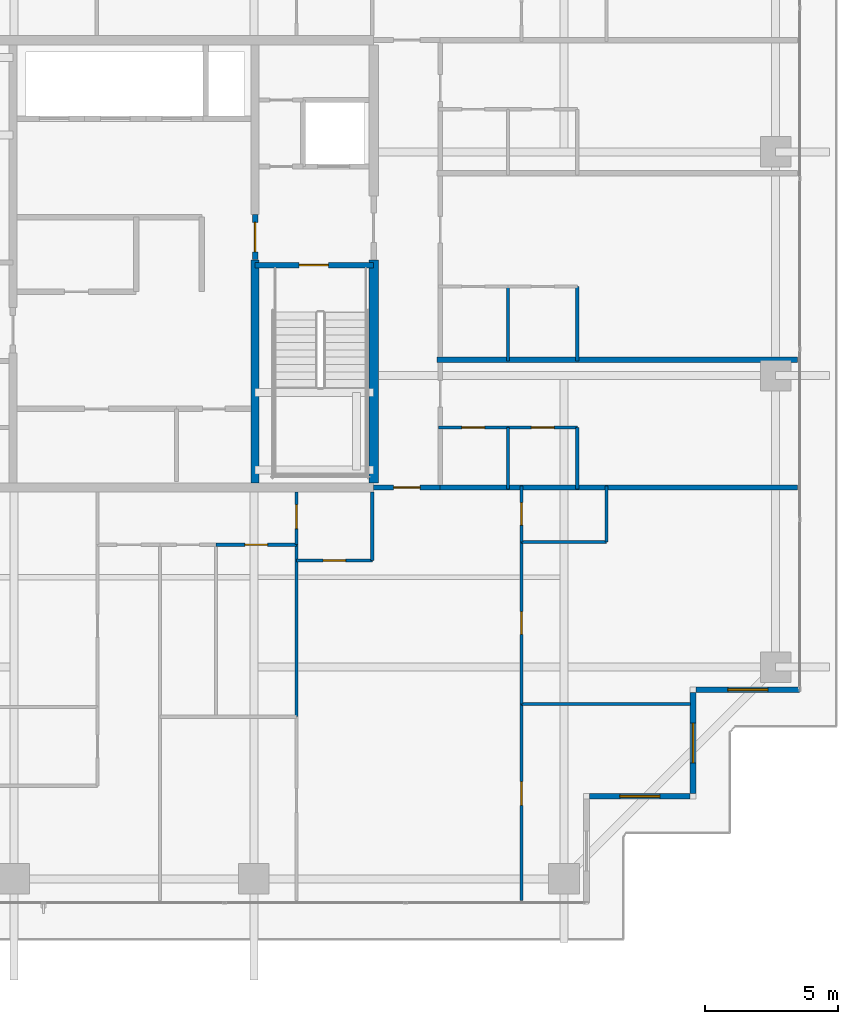
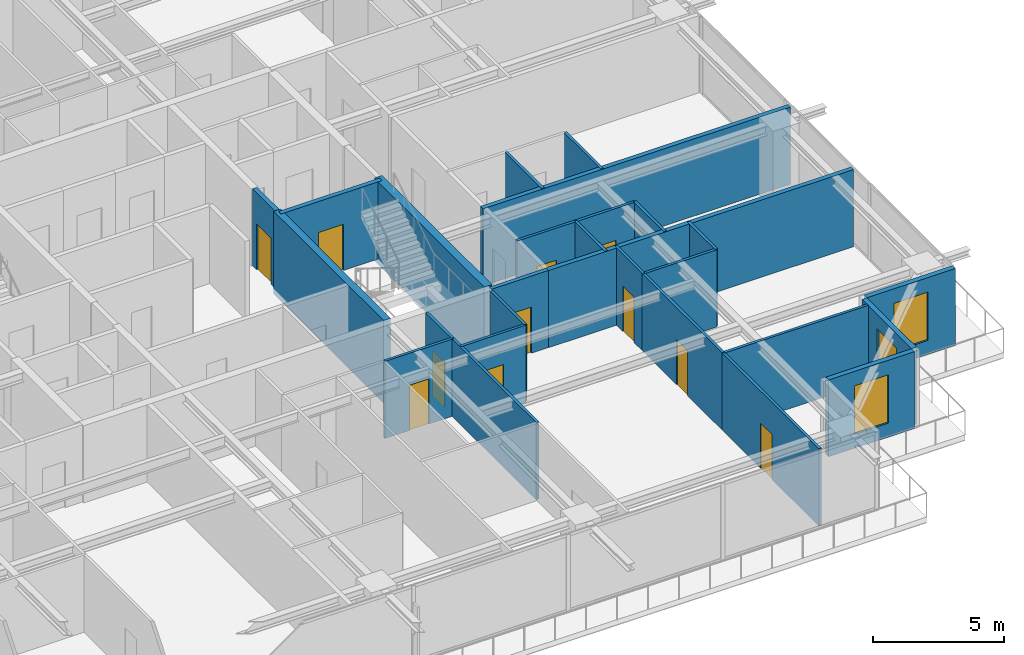
# One storey, part 29 of 40: 27 walls, 11 doors, 3 windows, 14 openings.
"""IFC4 building model written with IfcOpenShell, lengths in metres."""

from ifc_helpers import new_model, si_unit, direction, frame, frame_2d, origin, place, context, subcontext, project, spatial, rectangle, extrude, source, transform, mapped, material, layer, layer_set, type_object, element, fill, save


model = new_model("IFC4")

# Units and contexts
model_context = context("Model", 3, precision=1e-05, world=origin(), true_north=direction((0.0, 1.0)))
body_context = subcontext(model_context, "Body", "Model", "MODEL_VIEW")
ifc_project = project(units=[si_unit("LENGTHUNIT", "METRE"), si_unit("AREAUNIT", "SQUARE_METRE"), si_unit("VOLUMEUNIT", "CUBIC_METRE"), si_unit("PLANEANGLEUNIT", "RADIAN"), si_unit("MASSUNIT", "GRAM", prefix="KILO")], contexts=[model_context])

# Site, building, storey
site_placement = place(None, origin())
site = spatial("IfcSite", under=ifc_project, at=site_placement, CompositionType="ELEMENT")
building_placement = place(site_placement, origin())
building = spatial("IfcBuilding", under=site, at=building_placement, Name="Serunith Strait Residences", CompositionType="ELEMENT")
storey_placement = place(building_placement, frame((0.0, 0.0, 252.800048828125)))
storey = spatial("IfcBuildingStorey", under=building, at=storey_placement, Name="L63", CompositionType="ELEMENT", Elevation=252.800048828125)

# Wall, opening, window
ifc_material_1 = material(Name="Pale-Champagne Aluminium Insulated Panel", Category="aluminium")
ifc_layer_1 = layer(ifc_material_1, 0.219970703125, Name="Pale-Champagne Aluminium Insulated Panel")
ifc_layer_set_1 = layer_set([ifc_layer_1], Name="Pale-Champagne Aluminium Insulated Panel")
wall_type_1 = type_object("IfcWallType", Name="EW-ALUM-220", PredefinedType="ELEMENTEDWALL", material=ifc_layer_set_1)
wall_1_placement = place(storey_placement, frame((49.510009765625, 5.199951171875, 0.0), z_axis=(0.0, 0.0, 1.0), x_axis=(1.0, 0.0, 0.0)))
wall_1 = element("IfcWall", 1, at=wall_1_placement, inside=storey, type_object=wall_type_1, Name="L63 Girih Serrated Corner Wall 03", PredefinedType="ELEMENTEDWALL", context=body_context, shape_type="SweptSolid", body=[
    extrude(rectangle(XDim=3.780029296875, YDim=0.219970703125, at=frame_2d((1.89013671875, 0.0))), origin(), (0.0, 0.0, 1.0), 3.574951171875),
])
opening_1_placement = place(wall_1_placement, frame((1.139892578125, 0.0, 0.64990234375)))
opening_1 = element("IfcOpeningElement", 2, at=opening_1_placement, cuts=wall_1, Name="Opening W-05", PredefinedType="OPENING", context=body_context, shape_type="SweptSolid", body=[
    extrude(rectangle(XDim=1.5, YDim=2.25, at=frame_2d((0.75, 1.125))), frame((0.0, 0.1201171875, 0.0), z_axis=(0.0, -1.0, 0.0), x_axis=(1.0, 0.0, 0.0)), (0.0, 0.0, 1.0), 0.239990234375),
])
ifc_material_2 = material(Name="Ceramic-Fritted Operable Aluminium Window Glass", Category="aluminium")
window_type = type_object("IfcWindowType", Name="WIN-C5", PartitioningType="DOUBLE_PANEL_VERTICAL", PredefinedType="WINDOW", material=ifc_material_2)
shared_shape_1 = source(origin(), body_context, "Body", "SweptSolid", [
    extrude(rectangle(XDim=1.5, YDim=2.25, at=frame_2d((0.75, 1.125))), frame((0.0, 0.030029296875, 0.0), z_axis=(0.0, -1.0, 0.0), x_axis=(1.0, 0.0, 0.0)), (0.0, 0.0, 1.0), 0.06005859375),
])
window_1_placement = place(opening_1_placement, origin())
window_1 = element("IfcWindow", 3, at=window_1_placement, inside=storey, type_object=window_type, Name="L63 Corner Operable Fritted Window 03", OverallHeight=2.25, OverallWidth=1.5, PartitioningType="SINGLE_PANEL", PredefinedType="WINDOW", context=body_context, shape_type="MappedRepresentation", body=[
    mapped(shared_shape_1, transform((0.0, 0.0, 0.0), scale=1.0)),
])
fill(opening_1, window_1)

wall_2_placement = place(storey_placement, frame((53.39990234375, 5.31005859375, 0.0), z_axis=(0.0, 0.0, 1.0), x_axis=(0.0, 1.0, 0.0)))
wall_2 = element("IfcWall", 4, at=wall_2_placement, inside=storey, type_object=wall_type_1, Name="L63 Girih Serrated Corner Wall 04", PredefinedType="ELEMENTEDWALL", context=body_context, shape_type="SweptSolid", body=[
    extrude(rectangle(XDim=3.780029296875, YDim=0.219970703125, at=frame_2d((1.89013671875, 0.0))), origin(), (0.0, 0.0, 1.0), 3.574951171875),
])
opening_2_placement = place(wall_2_placement, frame((1.139892578125, 0.0, 0.64990234375)))
opening_2 = element("IfcOpeningElement", 5, at=opening_2_placement, cuts=wall_2, Name="Opening W-05", PredefinedType="OPENING", context=body_context, shape_type="SweptSolid", body=[
    extrude(rectangle(XDim=1.5, YDim=2.25, at=frame_2d((0.75, 1.125))), frame((0.0, 0.1201171875, 0.0), z_axis=(0.0, -1.0, 0.0), x_axis=(1.0, 0.0, 0.0)), (0.0, 0.0, 1.0), 0.239990234375),
])
window_2_placement = place(opening_2_placement, origin())
window_2 = element("IfcWindow", 6, at=window_2_placement, inside=storey, type_object=window_type, Name="L63 Corner Operable Fritted Window 04", OverallHeight=2.25, OverallWidth=1.5, PartitioningType="SINGLE_PANEL", PredefinedType="WINDOW", context=body_context, shape_type="MappedRepresentation", body=[
    mapped(shared_shape_1, transform((0.0, 0.0, 0.0), scale=1.0)),
])
fill(opening_2, window_2)

wall_3_placement = place(storey_placement, frame((53.510009765625, 9.199951171875, 0.0), z_axis=(0.0, 0.0, 1.0), x_axis=(1.0, 0.0, 0.0)))
wall_3 = element("IfcWall", 7, at=wall_3_placement, inside=storey, type_object=wall_type_1, Name="L63 Girih Serrated Corner Wall 05", PredefinedType="ELEMENTEDWALL", context=body_context, shape_type="SweptSolid", body=[
    extrude(rectangle(XDim=3.889892578125, YDim=0.219970703125, at=frame_2d((1.94482421875, 0.0))), origin(), (0.0, 0.0, 1.0), 3.574951171875),
])
opening_3_placement = place(wall_3_placement, frame((1.195068359375, 0.0, 0.64990234375)))
opening_3 = element("IfcOpeningElement", 8, at=opening_3_placement, cuts=wall_3, Name="Opening W-05", PredefinedType="OPENING", context=body_context, shape_type="SweptSolid", body=[
    extrude(rectangle(XDim=1.5, YDim=2.25, at=frame_2d((0.75, 1.125))), frame((0.0, 0.1201171875, 0.0), z_axis=(0.0, -1.0, 0.0), x_axis=(1.0, 0.0, 0.0)), (0.0, 0.0, 1.0), 0.239990234375),
])
window_3_placement = place(opening_3_placement, origin())
window_3 = element("IfcWindow", 9, at=window_3_placement, inside=storey, type_object=window_type, Name="L63 Corner Operable Fritted Window 05", OverallHeight=2.25, OverallWidth=1.5, PartitioningType="SINGLE_PANEL", PredefinedType="WINDOW", context=body_context, shape_type="MappedRepresentation", body=[
    mapped(shared_shape_1, transform((0.0, 0.0, 0.0), scale=1.0)),
])
fill(opening_3, window_3)

# Wall, opening, door
ifc_material_3 = material(Name="Fire-rated acoustic gypsum partition")
ifc_layer_2 = layer(ifc_material_3, 0.179931640625, Name="Fire-rated acoustic gypsum partition")
ifc_layer_set_2 = layer_set([ifc_layer_2], Name="Fire-rated acoustic gypsum partition")
wall_type_2 = type_object("IfcWallType", Name="IW-CORR-180", PredefinedType="PARTITIONING", material=ifc_layer_set_2)
wall_4_placement = place(storey_placement, frame((41.402099609375, 16.800048828125, 0.0), z_axis=(0.0, 0.0, 1.0), x_axis=(1.0, 0.0, 0.0)))
wall_4 = element("IfcWall", 10, at=wall_4_placement, inside=storey, type_object=wall_type_2, Name="L63 Partition Wall 030", PredefinedType="PARTITIONING", context=body_context, shape_type="SweptSolid", body=[
    extrude(rectangle(XDim=2.495849609375, YDim=0.179931640625, at=frame_2d((1.248046875, 0.0))), origin(), (0.0, 0.0, 1.0), 3.58984375),
])
opening_4_placement = place(wall_4_placement, frame((0.748046875, 0.0, 0.0)))
opening_4 = element("IfcOpeningElement", 11, at=opening_4_placement, cuts=wall_4, Name="Opening D-APT1000", PredefinedType="OPENING", context=body_context, shape_type="SweptSolid", body=[
    extrude(rectangle(XDim=1.0, YDim=2.14990234375, at=frame_2d((0.5, 1.074951171875))), frame((0.0, 0.10009765625, 0.0), z_axis=(0.0, -1.0, 0.0), x_axis=(1.0, 0.0, 0.0)), (0.0, 0.0, 1.0), 0.199951171875),
])
ifc_material_4 = material(Name="Solid timber engineered fire door", Category="wood")
door_type_1 = type_object("IfcDoorType", Name="ID-APT-1000", OperationType="NOTDEFINED", PredefinedType="DOOR", material=ifc_material_4)
shared_shape_2 = source(origin(), body_context, "Body", "SweptSolid", [
    extrude(rectangle(XDim=1.0, YDim=2.14990234375, at=frame_2d((0.5, 1.074951171875))), frame((0.0, 0.02490234375, 0.0), z_axis=(0.0, -1.0, 0.0), x_axis=(1.0, 0.0, 0.0)), (0.0, 0.0, 1.0), 0.050048828125),
])
door_1_placement = place(opening_4_placement, origin())
door_1 = element("IfcDoor", 12, at=door_1_placement, inside=storey, type_object=door_type_1, Name="L63 Unit 02 Entrance Door", OperationType="SINGLE_SWING_LEFT", OverallHeight=2.14990234375, OverallWidth=1.0, PredefinedType="DOOR", context=body_context, shape_type="MappedRepresentation", body=[
    mapped(shared_shape_2, transform((0.0, 0.0, 0.0), scale=1.0)),
])
fill(opening_4, door_1)

ifc_material_5 = material(Name="Lightweight steel-stud gypsum partition", Category="steel")
ifc_layer_3 = layer(ifc_material_5, 0.1201171875, Name="Lightweight steel-stud gypsum partition")
ifc_layer_set_3 = layer_set([ifc_layer_3], Name="Lightweight steel-stud gypsum partition")
wall_type_3 = type_object("IfcWallType", Name="IW-PART-120", PredefinedType="PARTITIONING", material=ifc_layer_set_3)
wall_5_placement = place(storey_placement, frame((38.5, 14.050048828125, 0.0), z_axis=(0.0, 0.0, 1.0), x_axis=(1.0, 0.0, 0.0)))
wall_5 = element("IfcWall", 13, at=wall_5_placement, inside=storey, type_object=wall_type_3, Name="L63 Partition Wall 046", PredefinedType="PARTITIONING", context=body_context, shape_type="SweptSolid", body=[
    extrude(rectangle(XDim=2.85009765625, YDim=0.1201171875, at=frame_2d((1.425048828125, 0.0))), origin(), (0.0, 0.0, 1.0), 3.58984375),
])
opening_5_placement = place(wall_5_placement, frame((1.0, 0.0, 0.0)))
opening_5 = element("IfcOpeningElement", 14, at=opening_5_placement, cuts=wall_5, Name="Opening D-RM850", PredefinedType="OPENING", context=body_context, shape_type="SweptSolid", body=[
    extrude(rectangle(XDim=0.85009765625, YDim=2.10009765625, at=frame_2d((0.425048828125, 1.050048828125))), frame((0.0, 0.070068359375, 0.0), z_axis=(0.0, -1.0, 0.0), x_axis=(1.0, 0.0, 0.0)), (0.0, 0.0, 1.0), 0.14013671875),
])
ifc_material_6 = material(Name="Engineered timber flush study and kitchen door", Category="wood")
door_type_2 = type_object("IfcDoorType", Name="ID-ROOM-850", OperationType="NOTDEFINED", PredefinedType="DOOR", material=ifc_material_6)
shared_shape_3 = source(origin(), body_context, "Body", "SweptSolid", [
    extrude(rectangle(XDim=0.85009765625, YDim=2.10009765625, at=frame_2d((0.425048828125, 1.050048828125))), frame((0.0, 0.02490234375, 0.0), z_axis=(0.0, -1.0, 0.0), x_axis=(1.0, 0.0, 0.0)), (0.0, 0.0, 1.0), 0.050048828125),
])
door_2_placement = place(opening_5_placement, origin())
door_2 = element("IfcDoor", 15, at=door_2_placement, inside=storey, type_object=door_type_2, Name="L63 Kitchen 6302 Door", OperationType="SINGLE_SWING_LEFT", OverallHeight=2.10009765625, OverallWidth=0.85009765625, PredefinedType="DOOR", context=body_context, shape_type="MappedRepresentation", body=[
    mapped(shared_shape_3, transform((0.0, 0.0, 0.0), scale=1.0)),
])
fill(opening_5, door_2)

# Wall
wall_6_placement = place(storey_placement, frame((41.35009765625, 14.050048828125, 0.0), z_axis=(0.0, 0.0, 1.0), x_axis=(0.0, 1.0, 0.0)))
element("IfcWall", 16, at=wall_6_placement, inside=storey, type_object=wall_type_3, Name="L63 Partition Wall 047", PredefinedType="PARTITIONING", context=body_context, shape_type="SweptSolid", body=[
    extrude(rectangle(XDim=2.574951171875, YDim=0.1201171875, at=frame_2d((1.28759765625, 0.0))), origin(), (0.0, 0.0, 1.0), 3.58984375),
])

# Wall, opening, door
wall_7_placement = place(storey_placement, frame((38.5, 14.64990234375, 0.0), z_axis=(0.0, 0.0, 1.0), x_axis=(0.0, 1.0, 0.0)))
wall_7 = element("IfcWall", 17, at=wall_7_placement, inside=storey, type_object=wall_type_3, Name="L63 Partition Wall 048", PredefinedType="PARTITIONING", context=body_context, shape_type="SweptSolid", body=[
    extrude(rectangle(XDim=1.97509765625, YDim=0.1201171875, at=frame_2d((0.987548828125, 0.0))), origin(), (0.0, 0.0, 1.0), 3.58984375),
])
opening_6_placement = place(wall_7_placement, frame((0.60107421875, 0.0, 0.0)))
opening_6 = element("IfcOpeningElement", 18, at=opening_6_placement, cuts=wall_7, Name="Opening D-RM900", PredefinedType="OPENING", context=body_context, shape_type="SweptSolid", body=[
    extrude(rectangle(XDim=0.89990234375, YDim=2.10009765625, at=frame_2d((0.449951171875, 1.050048828125))), frame((0.0, 0.070068359375, 0.0), z_axis=(0.0, -1.0, 0.0), x_axis=(1.0, 0.0, 0.0)), (0.0, 0.0, 1.0), 0.14013671875),
])
ifc_material_7 = material(Name="Engineered timber flush bedroom door", Category="wood")
door_type_3 = type_object("IfcDoorType", Name="ID-ROOM-900", OperationType="NOTDEFINED", PredefinedType="DOOR", material=ifc_material_7)
shared_shape_4 = source(origin(), body_context, "Body", "SweptSolid", [
    extrude(rectangle(XDim=0.89990234375, YDim=2.10009765625, at=frame_2d((0.449951171875, 1.050048828125))), frame((0.0, 0.02490234375, 0.0), z_axis=(0.0, -1.0, 0.0), x_axis=(1.0, 0.0, 0.0)), (0.0, 0.0, 1.0), 0.050048828125),
])
door_3_placement = place(opening_6_placement, origin())
door_3 = element("IfcDoor", 19, at=door_3_placement, inside=storey, type_object=door_type_3, Name="L63 Hall W 6302 Door", OperationType="SINGLE_SWING_RIGHT", OverallHeight=2.10009765625, OverallWidth=0.89990234375, PredefinedType="DOOR", context=body_context, shape_type="MappedRepresentation", body=[
    mapped(shared_shape_4, transform((0.0, 0.0, 0.0), scale=1.0)),
])
fill(opening_6, door_3)

# Wall
wall_8_placement = place(storey_placement, frame((38.5, 8.19091796875, 0.0), z_axis=(0.0, 0.0, 1.0), x_axis=(0.0, 1.0, 0.0)))
element("IfcWall", 20, at=wall_8_placement, inside=storey, type_object=wall_type_3, Name="L63 Partition Wall 050", PredefinedType="PARTITIONING", context=body_context, shape_type="SweptSolid", body=[
    extrude(rectangle(XDim=6.45703125, YDim=0.1201171875, at=frame_2d((3.228515625, 0.0))), origin(), (0.0, 0.0, 1.0), 3.58984375),
])

# Wall, opening, door
wall_9_placement = place(storey_placement, frame((35.48193359375, 14.64990234375, 0.0), z_axis=(0.0, 0.0, 1.0), x_axis=(1.0, 0.0, 0.0)))
wall_9 = element("IfcWall", 21, at=wall_9_placement, inside=storey, type_object=wall_type_3, Name="L63 Partition Wall 055", PredefinedType="PARTITIONING", context=body_context, shape_type="SweptSolid", body=[
    extrude(rectangle(XDim=3.01806640625, YDim=0.1201171875, at=frame_2d((1.509033203125, 0.0))), origin(), (0.0, 0.0, 1.0), 3.58984375),
])
opening_7_placement = place(wall_9_placement, frame((1.083984375, 0.0, 0.0)))
opening_7 = element("IfcOpeningElement", 22, at=opening_7_placement, cuts=wall_9, Name="Opening D-RM850", PredefinedType="OPENING", context=body_context, shape_type="SweptSolid", body=[
    extrude(rectangle(XDim=0.85009765625, YDim=2.10009765625, at=frame_2d((0.425048828125, 1.050048828125))), frame((0.0, 0.070068359375, 0.0), z_axis=(0.0, -1.0, 0.0), x_axis=(1.0, 0.0, 0.0)), (0.0, 0.0, 1.0), 0.14013671875),
])
door_4_placement = place(opening_7_placement, origin())
door_4 = element("IfcDoor", 23, at=door_4_placement, inside=storey, type_object=door_type_2, Name="L63 Formal Dining Room 6302 Door", OperationType="SINGLE_SWING_LEFT", OverallHeight=2.10009765625, OverallWidth=0.85009765625, PredefinedType="DOOR", context=body_context, shape_type="MappedRepresentation", body=[
    mapped(shared_shape_3, transform((0.0, 0.0, 0.0), scale=1.0)),
])
fill(opening_7, door_4)

wall_10_placement = place(storey_placement, frame((46.949951171875, 1.294921875, 0.0), z_axis=(0.0, 0.0, 1.0), x_axis=(0.0, 1.0, 0.0)))
wall_10 = element("IfcWall", 24, at=wall_10_placement, inside=storey, type_object=wall_type_3, Name="L63 Partition Wall 062", PredefinedType="PARTITIONING", context=body_context, shape_type="SweptSolid", body=[
    extrude(rectangle(XDim=7.373046875, YDim=0.1201171875, at=frame_2d((3.6865234375, 0.0))), origin(), (0.0, 0.0, 1.0), 3.58984375),
])
opening_8_placement = place(wall_10_placement, frame((3.56005859375, 0.0, 0.0)))
opening_8 = element("IfcOpeningElement", 25, at=opening_8_placement, cuts=wall_10, Name="Opening D-RM900", PredefinedType="OPENING", context=body_context, shape_type="SweptSolid", body=[
    extrude(rectangle(XDim=0.89990234375, YDim=2.10009765625, at=frame_2d((0.449951171875, 1.050048828125))), frame((0.0, 0.070068359375, 0.0), z_axis=(0.0, -1.0, 0.0), x_axis=(1.0, 0.0, 0.0)), (0.0, 0.0, 1.0), 0.14013671875),
])
door_5_placement = place(opening_8_placement, origin())
door_5 = element("IfcDoor", 26, at=door_5_placement, inside=storey, type_object=door_type_3, Name="L63 Bedroom 3 6302 Door", OperationType="SINGLE_SWING_LEFT", OverallHeight=2.10009765625, OverallWidth=0.89990234375, PredefinedType="DOOR", context=body_context, shape_type="MappedRepresentation", body=[
    mapped(shared_shape_4, transform((0.0, 0.0, 0.0), scale=1.0)),
])
fill(opening_8, door_5)

# Walls
wall_11_placement = place(storey_placement, frame((46.949951171875, 8.66796875, 0.0), z_axis=(0.0, 0.0, 1.0), x_axis=(1.0, 0.0, 0.0)))
element("IfcWall", 27, at=wall_11_placement, inside=storey, type_object=wall_type_3, Name="L63 Partition Wall 063", PredefinedType="PARTITIONING", context=body_context, shape_type="SweptSolid", body=[
    extrude(rectangle(XDim=6.35498046875, YDim=0.1201171875, at=frame_2d((3.177490234375, 0.0))), origin(), (0.0, 0.0, 1.0), 3.58984375),
])
wall_12_placement = place(storey_placement, frame((46.949951171875, 14.75, 0.0), z_axis=(0.0, 0.0, 1.0), x_axis=(1.0, 0.0, 0.0)))
element("IfcWall", 28, at=wall_12_placement, inside=storey, type_object=wall_type_3, Name="L63 Partition Wall 064", PredefinedType="PARTITIONING", context=body_context, shape_type="SweptSolid", body=[
    extrude(rectangle(XDim=3.199951171875, YDim=0.1201171875, at=frame_2d((1.60009765625, 0.0))), origin(), (0.0, 0.0, 1.0), 3.58984375),
])
wall_13_placement = place(storey_placement, frame((50.14990234375, 14.75, 0.0), z_axis=(0.0, 0.0, 1.0), x_axis=(0.0, 1.0, 0.0)))
element("IfcWall", 29, at=wall_13_placement, inside=storey, type_object=wall_type_3, Name="L63 Partition Wall 065", PredefinedType="PARTITIONING", context=body_context, shape_type="SweptSolid", body=[
    extrude(rectangle(XDim=2.110107421875, YDim=0.1201171875, at=frame_2d((1.05517578125, 0.0))), origin(), (0.0, 0.0, 1.0), 3.58984375),
])

# Wall, opening, door
wall_14_placement = place(storey_placement, frame((46.949951171875, 8.669921875, 0.0), z_axis=(0.0, 0.0, 1.0), x_axis=(0.0, 1.0, 0.0)))
wall_14 = element("IfcWall", 30, at=wall_14_placement, inside=storey, type_object=wall_type_3, Name="L63 Partition Wall 066", PredefinedType="PARTITIONING", context=body_context, shape_type="SweptSolid", body=[
    extrude(rectangle(XDim=6.080078125, YDim=0.1201171875, at=frame_2d((3.0400390625, 0.0))), origin(), (0.0, 0.0, 1.0), 3.58984375),
])
opening_9_placement = place(wall_14_placement, frame((2.614990234375, 0.0, 0.0)))
opening_9 = element("IfcOpeningElement", 31, at=opening_9_placement, cuts=wall_14, Name="Opening D-RM850", PredefinedType="OPENING", context=body_context, shape_type="SweptSolid", body=[
    extrude(rectangle(XDim=0.85009765625, YDim=2.10009765625, at=frame_2d((0.425048828125, 1.050048828125))), frame((0.0, 0.070068359375, 0.0), z_axis=(0.0, -1.0, 0.0), x_axis=(1.0, 0.0, 0.0)), (0.0, 0.0, 1.0), 0.14013671875),
])
door_6_placement = place(opening_9_placement, origin())
door_6 = element("IfcDoor", 32, at=door_6_placement, inside=storey, type_object=door_type_2, Name="L63 Walk-in Wardrobe 6302 Door", OperationType="SINGLE_SWING_RIGHT", OverallHeight=2.10009765625, OverallWidth=0.85009765625, PredefinedType="DOOR", context=body_context, shape_type="MappedRepresentation", body=[
    mapped(shared_shape_3, transform((0.0, 0.0, 0.0), scale=1.0)),
])
fill(opening_9, door_6)

wall_15_placement = place(storey_placement, frame((46.949951171875, 14.751953125, 0.0), z_axis=(0.0, 0.0, 1.0), x_axis=(0.0, 1.0, 0.0)))
wall_15 = element("IfcWall", 33, at=wall_15_placement, inside=storey, type_object=wall_type_3, Name="L63 Partition Wall 067", PredefinedType="PARTITIONING", context=body_context, shape_type="SweptSolid", body=[
    extrude(rectangle(XDim=2.108154296875, YDim=0.1201171875, at=frame_2d((1.05419921875, 0.0))), origin(), (0.0, 0.0, 1.0), 3.58984375),
])
opening_10_placement = place(wall_15_placement, frame((0.62890625, 0.0, 0.0)))
opening_10 = element("IfcOpeningElement", 34, at=opening_10_placement, cuts=wall_15, Name="Opening D-BTH850", PredefinedType="OPENING", context=body_context, shape_type="SweptSolid", body=[
    extrude(rectangle(XDim=0.85009765625, YDim=2.10009765625, at=frame_2d((0.425048828125, 1.050048828125))), frame((0.0, 0.070068359375, 0.0), z_axis=(0.0, -1.0, 0.0), x_axis=(1.0, 0.0, 0.0)), (0.0, 0.0, 1.0), 0.14013671875),
])
ifc_material_8 = material(Name="Moisture-resistant timber bathroom door", Category="wood")
door_type_4 = type_object("IfcDoorType", Name="ID-BATH-850", OperationType="NOTDEFINED", PredefinedType="DOOR", material=ifc_material_8)
door_7_placement = place(opening_10_placement, origin())
door_7 = element("IfcDoor", 35, at=door_7_placement, inside=storey, type_object=door_type_4, Name="L63 Bathroom 6302 Door", OperationType="SINGLE_SWING_LEFT", OverallHeight=2.10009765625, OverallWidth=0.85009765625, PredefinedType="DOOR", context=body_context, shape_type="MappedRepresentation", body=[
    mapped(shared_shape_3, transform((0.0, 0.0, 0.0), scale=1.0)),
])
fill(opening_10, door_7)

wall_16_placement = place(storey_placement, frame((49.050048828125, 19.050048828125, 0.0), z_axis=(0.0, 0.0, 1.0), x_axis=(-1.0, 0.0, 0.0)))
wall_16 = element("IfcWall", 36, at=wall_16_placement, inside=storey, type_object=wall_type_3, Name="L63 Partition Wall 099", PredefinedType="PARTITIONING", context=body_context, shape_type="SweptSolid", body=[
    extrude(rectangle(XDim=2.60009765625, YDim=0.1201171875, at=frame_2d((1.300048828125, 0.0))), origin(), (0.0, 0.0, 1.0), 3.58984375),
])
opening_11_placement = place(wall_16_placement, frame((0.875, 0.0, 0.0)))
opening_11 = element("IfcOpeningElement", 37, at=opening_11_placement, cuts=wall_16, Name="Opening D-RM850", PredefinedType="OPENING", context=body_context, shape_type="SweptSolid", body=[
    extrude(rectangle(XDim=0.85009765625, YDim=2.10009765625, at=frame_2d((0.425048828125, 1.050048828125))), frame((0.0, 0.070068359375, 0.0), z_axis=(0.0, -1.0, 0.0), x_axis=(1.0, 0.0, 0.0)), (0.0, 0.0, 1.0), 0.14013671875),
])
door_8_placement = place(opening_11_placement, origin())
door_8 = element("IfcDoor", 38, at=door_8_placement, inside=storey, type_object=door_type_2, Name="L63 Kitchen 6305 Door", OperationType="SINGLE_SWING_LEFT", OverallHeight=2.10009765625, OverallWidth=0.85009765625, PredefinedType="DOOR", context=body_context, shape_type="MappedRepresentation", body=[
    mapped(shared_shape_3, transform((0.0, 0.0, 0.0), scale=1.0)),
])
fill(opening_11, door_8)

wall_17_placement = place(storey_placement, frame((46.447998046875, 19.050048828125, 0.0), z_axis=(0.0, 0.0, 1.0), x_axis=(-1.0, 0.0, 0.0)))
wall_17 = element("IfcWall", 39, at=wall_17_placement, inside=storey, type_object=wall_type_3, Name="L63 Partition Wall 100", PredefinedType="PARTITIONING", context=body_context, shape_type="SweptSolid", body=[
    extrude(rectangle(XDim=2.60791015625, YDim=0.1201171875, at=frame_2d((1.303955078125, 0.0))), origin(), (0.0, 0.0, 1.0), 3.58984375),
])
opening_12_placement = place(wall_17_placement, frame((0.87890625, 0.0, 0.0)))
opening_12 = element("IfcOpeningElement", 40, at=opening_12_placement, cuts=wall_17, Name="Opening D-BTH850", PredefinedType="OPENING", context=body_context, shape_type="SweptSolid", body=[
    extrude(rectangle(XDim=0.85009765625, YDim=2.10009765625, at=frame_2d((0.425048828125, 1.050048828125))), frame((0.0, 0.070068359375, 0.0), z_axis=(0.0, -1.0, 0.0), x_axis=(1.0, 0.0, 0.0)), (0.0, 0.0, 1.0), 0.14013671875),
])
door_9_placement = place(opening_12_placement, origin())
door_9 = element("IfcDoor", 41, at=door_9_placement, inside=storey, type_object=door_type_4, Name="L63 Bathroom 6305 Door", OperationType="SINGLE_SWING_RIGHT", OverallHeight=2.10009765625, OverallWidth=0.85009765625, PredefinedType="DOOR", context=body_context, shape_type="MappedRepresentation", body=[
    mapped(shared_shape_3, transform((0.0, 0.0, 0.0), scale=1.0)),
])
fill(opening_12, door_9)

# Walls
for number, where, z_axis, x_axis, name in (
    (42, (46.449951171875, 16.739990234375, 0.0), (0.0, 0.0, 1.0), (0.0, 1.0, 0.0), "L63 Partition Wall 101"),
    (43, (49.050048828125, 16.739990234375, 0.0), (0.0, 0.0, 1.0), (0.0, 1.0, 0.0), "L63 Partition Wall 102"),
):
    element("IfcWall", number, at=place(storey_placement, frame(where, z_axis=z_axis, x_axis=x_axis)), inside=storey, type_object=wall_type_3, Name=name, PredefinedType="PARTITIONING", context=body_context, shape_type="SweptSolid", body=[
        extrude(rectangle(XDim=2.31005859375, YDim=0.1201171875, at=frame_2d((1.155029296875, 0.0))), origin(), (0.0, 0.0, 1.0), 3.58984375),
    ])
for number, where, z_axis, x_axis, name in (
    (44, (46.449951171875, 21.5400390625, 0.0), (0.0, 0.0, 1.0), (0.0, 1.0, 0.0), "L63 Partition Wall 105"),
    (45, (49.050048828125, 21.5400390625, 0.0), (0.0, 0.0, 1.0), (0.0, 1.0, 0.0), "L63 Partition Wall 106"),
):
    element("IfcWall", number, at=place(storey_placement, frame(where, z_axis=z_axis, x_axis=x_axis)), inside=storey, type_object=wall_type_3, Name=name, PredefinedType="PARTITIONING", context=body_context, shape_type="SweptSolid", body=[
        extrude(rectangle(XDim=2.81005859375, YDim=0.1201171875, at=frame_2d((1.405029296875, 0.0))), origin(), (0.0, 0.0, 1.0), 3.58984375),
    ])
ifc_material_9 = material(Name="Twin-stud acoustic gypsum board partition")
ifc_layer_4 = layer(ifc_material_9, 0.199951171875, Name="Twin-stud acoustic gypsum board partition")
ifc_layer_set_4 = layer_set([ifc_layer_4], Name="Twin-stud acoustic gypsum board partition")
wall_type_4 = type_object("IfcWallType", Name="IW-PARTY-200", PredefinedType="PARTITIONING", material=ifc_layer_set_4)
wall_18_placement = place(storey_placement, frame((43.780029296875, 21.60009765625, 0.0), z_axis=(0.0, 0.0, 1.0), x_axis=(1.0, 0.0, 0.0)))
element("IfcWall", 46, at=wall_18_placement, inside=storey, type_object=wall_type_4, Name="L63 Partition Wall 021", PredefinedType="PARTITIONING", context=body_context, shape_type="SweptSolid", body=[
    extrude(rectangle(XDim=13.5380859375, YDim=0.199951171875, at=frame_2d((6.76904296875, 0.0))), origin(), (0.0, 0.0, 1.0), 3.58984375),
])
wall_19_placement = place(storey_placement, frame((43.89990234375, 16.800048828125, 0.0), z_axis=(0.0, 0.0, 1.0), x_axis=(1.0, 0.0, 0.0)))
element("IfcWall", 47, at=wall_19_placement, inside=storey, type_object=wall_type_4, Name="L63 Partition Wall 024", PredefinedType="PARTITIONING", context=body_context, shape_type="SweptSolid", body=[
    extrude(rectangle(XDim=13.418212890625, YDim=0.199951171875, at=frame_2d((6.708984375, 0.0))), origin(), (0.0, 0.0, 1.0), 3.58984375),
])

# Wall, opening, door
ifc_material_10 = material(Name="Autoclaved aerated concrete blockwork", Category="masonry")
ifc_layer_5 = layer(ifc_material_10, 0.199951171875, Name="Autoclaved aerated concrete blockwork")
ifc_layer_set_5 = layer_set([ifc_layer_5], Name="Autoclaved aerated concrete blockwork")
wall_type_5 = type_object("IfcWallType", Name="IW-SHAFT-200", PredefinedType="STANDARD", material=ifc_layer_set_5)
wall_20_placement = place(storey_placement, frame((36.949951171875, 25.14990234375, 0.0), z_axis=(0.0, 0.0, 1.0), x_axis=(1.0, 0.0, 0.0)))
wall_20 = element("IfcWall", 48, at=wall_20_placement, inside=storey, type_object=wall_type_5, Name="L63 ST-2 North Shaft Wall", PredefinedType="STANDARD", context=body_context, shape_type="SweptSolid", body=[
    extrude(rectangle(XDim=4.449951171875, YDim=0.199951171875, at=frame_2d((2.22509765625, 0.0))), origin(), (0.0, 0.0, 1.0), 3.58984375),
])
opening_13_placement = place(wall_20_placement, frame((1.64990234375, 0.0, 0.0)))
opening_13 = element("IfcOpeningElement", 49, at=opening_13_placement, cuts=wall_20, Name="Opening FD-1100", PredefinedType="OPENING", context=body_context, shape_type="SweptSolid", body=[
    extrude(rectangle(XDim=1.10009765625, YDim=2.14990234375, at=frame_2d((0.550048828125, 1.074951171875))), frame((0.0, 0.10986328125, 0.0), z_axis=(0.0, -1.0, 0.0), x_axis=(1.0, 0.0, 0.0)), (0.0, 0.0, 1.0), 0.219970703125),
])
ifc_material_11 = material(Name="Galvanised steel fire door leaf", Category="steel")
door_type_5 = type_object("IfcDoorType", Name="FD-STAIR-1100", OperationType="NOTDEFINED", PredefinedType="DOOR", material=ifc_material_11)
shared_shape_5 = source(origin(), body_context, "Body", "SweptSolid", [
    extrude(rectangle(XDim=1.10009765625, YDim=2.14990234375, at=frame_2d((0.550048828125, 1.074951171875))), frame((0.0, 0.02490234375, 0.0), z_axis=(0.0, -1.0, 0.0), x_axis=(1.0, 0.0, 0.0)), (0.0, 0.0, 1.0), 0.050048828125),
])
door_10_placement = place(opening_13_placement, origin())
door_10 = element("IfcDoor", 50, at=door_10_placement, inside=storey, type_object=door_type_5, Name="L63 ST-2 Escape Stair Door", OperationType="SINGLE_SWING_RIGHT", OverallHeight=2.14990234375, OverallWidth=1.10009765625, PredefinedType="DOOR", context=body_context, shape_type="MappedRepresentation", body=[
    mapped(shared_shape_5, transform((0.0, 0.0, 0.0), scale=1.0)),
])
fill(opening_13, door_10)

wall_21_placement = place(storey_placement, frame((36.949951171875, 25.35205078125, 0.0), z_axis=(0.0, 0.0, 1.0), x_axis=(0.0, 1.0, 0.0)))
wall_21 = element("IfcWall", 51, at=wall_21_placement, inside=storey, type_object=wall_type_5, Name="L63 Partition Wall 010", PredefinedType="STANDARD", context=body_context, shape_type="SweptSolid", body=[
    extrude(rectangle(XDim=1.696044921875, YDim=0.199951171875, at=frame_2d((0.84814453125, 0.0))), origin(), (0.0, 0.0, 1.0), 3.58984375),
])
opening_14_placement = place(wall_21_placement, frame((0.298095703125, 0.0, 0.0)))
opening_14 = element("IfcOpeningElement", 52, at=opening_14_placement, cuts=wall_21, Name="Opening FD-FFL", PredefinedType="OPENING", context=body_context, shape_type="SweptSolid", body=[
    extrude(rectangle(XDim=1.10009765625, YDim=2.14990234375, at=frame_2d((0.550048828125, 1.074951171875))), frame((0.0, 0.10986328125, 0.0), z_axis=(0.0, -1.0, 0.0), x_axis=(1.0, 0.0, 0.0)), (0.0, 0.0, 1.0), 0.219970703125),
])
ifc_material_12 = material(Name="Glazed steel smoke-lobby fire door", Category="steel")
door_type_6 = type_object("IfcDoorType", Name="FD-FFL-1100", OperationType="NOTDEFINED", PredefinedType="DOOR", material=ifc_material_12)
door_11_placement = place(opening_14_placement, origin())
door_11 = element("IfcDoor", 53, at=door_11_placement, inside=storey, type_object=door_type_6, Name="L63 FFL-2 Lift Lobby Door", OperationType="SINGLE_SWING_LEFT", OverallHeight=2.14990234375, OverallWidth=1.10009765625, PredefinedType="DOOR", context=body_context, shape_type="MappedRepresentation", body=[
    mapped(shared_shape_5, transform((0.0, 0.0, 0.0), scale=1.0)),
])
fill(opening_14, door_11)

# Walls
ifc_material_13 = material(Name="Concrete C60/75", Category="concrete")
ifc_layer_6 = layer(ifc_material_13, 0.300048828125, Name="Concrete C60/75")
ifc_layer_set_6 = layer_set([ifc_layer_6], Name="Concrete C60/75")
wall_type_6 = type_object("IfcWallType", Name="SW-300-C60", PredefinedType="SHEAR", material=ifc_layer_set_6)
wall_22_placement = place(storey_placement, frame((36.949951171875, 16.97509765625, -0.260009765625), z_axis=(0.0, 0.0, 1.0), x_axis=(0.0, 1.0, 0.0)))
element("IfcWall", 54, at=wall_22_placement, inside=storey, type_object=wall_type_6, Name="L63 Core Internal East Web South Pier", PredefinedType="SHEAR", context=body_context, shape_type="SweptSolid", body=[
    extrude(rectangle(XDim=8.375, YDim=0.300048828125, at=frame_2d((4.1875, 0.0))), origin(), (0.0, 0.0, 1.0), 3.847900390625),
])
ifc_layer_7 = layer(ifc_material_13, 0.35009765625, Name="Concrete C60/75")
ifc_layer_set_7 = layer_set([ifc_layer_7], Name="Concrete C60/75")
wall_type_7 = type_object("IfcWallType", Name="SW-350-C60", PredefinedType="SHEAR", material=ifc_layer_set_7)
wall_23_placement = place(storey_placement, frame((41.39990234375, 16.97509765625, -0.260009765625), z_axis=(0.0, 0.0, 1.0), x_axis=(0.0, 1.0, 0.0)))
element("IfcWall", 55, at=wall_23_placement, inside=storey, type_object=wall_type_7, Name="L63 Core East Shear Wall South Pier", PredefinedType="SHEAR", context=body_context, shape_type="SweptSolid", body=[
    extrude(rectangle(XDim=8.375, YDim=0.35009765625, at=frame_2d((4.1875, 0.0))), origin(), (0.0, 0.0, 1.0), 3.847900390625),
])

save(model, "model.ifc")
